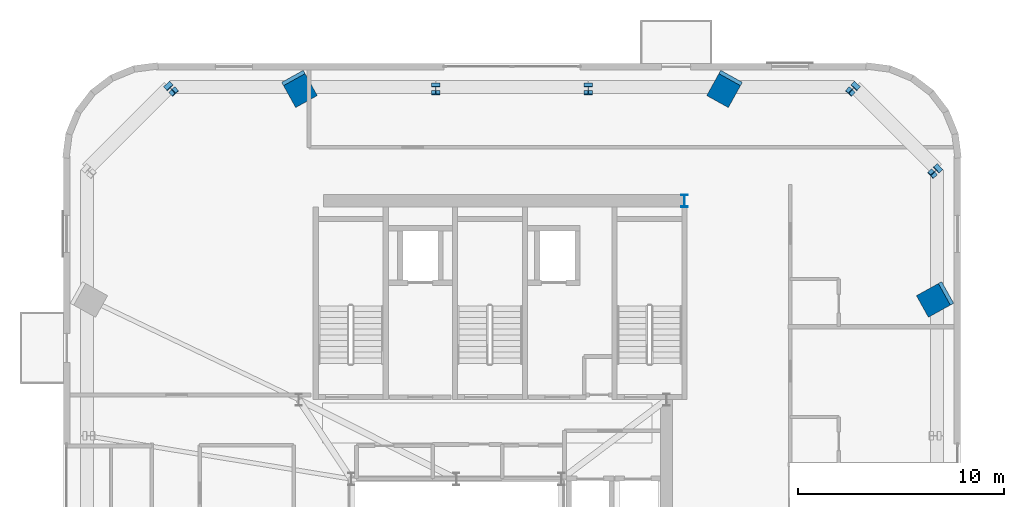
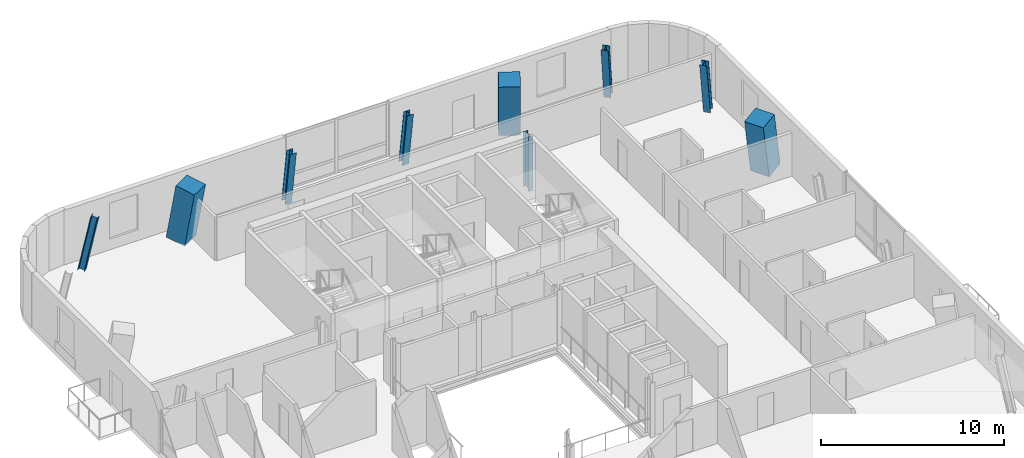
# One storey, part 2 of 14: 9 columns.
"""IFC4 building model written with IfcOpenShell, lengths in metres."""

from ifc_helpers import new_model, si_unit, direction, frame, origin, origin_2d, place, context, subcontext, project, spatial, rectangle, i_section, extrude, source, transform, mapped, material, material_profile, profile_set, type_object, element, save


model = new_model("IFC4")

# Units and contexts
model_context = context("Model", 3, precision=1e-05, world=origin(), true_north=direction((0.0, 1.0)))
body_context = subcontext(model_context, "Body", "Model", "MODEL_VIEW")
ifc_project = project(units=[si_unit("LENGTHUNIT", "METRE"), si_unit("AREAUNIT", "SQUARE_METRE"), si_unit("VOLUMEUNIT", "CUBIC_METRE"), si_unit("PLANEANGLEUNIT", "RADIAN"), si_unit("MASSUNIT", "GRAM", prefix="KILO")], contexts=[model_context])

# Site, building, storey
site_placement = place(None, origin())
site = spatial("IfcSite", under=ifc_project, at=site_placement, CompositionType="ELEMENT")
building_placement = place(site_placement, origin())
building = spatial("IfcBuilding", under=site, at=building_placement, Name="Vardaveli Station Tower", CompositionType="ELEMENT")
storey_placement = place(building_placement, frame((0.0, 0.0, 266.39990234375)))
storey = spatial("IfcBuildingStorey", under=building, at=storey_placement, Name="L68", CompositionType="ELEMENT", Elevation=266.39990234375)

# Columns
ifc_material_1 = material(Name="Structural steel S460M", Category="steel")
ifc_material_profile_1 = material_profile(ifc_material_1, i_section(OverallWidth=0.300048828125, OverallDepth=0.60009765625, WebThickness=0.015380859375, FlangeThickness=0.030029296875, FilletRadius=0.027099609375, at=origin_2d()), Name="HEB 600")
ifc_profile_set_1 = profile_set([ifc_material_profile_1], Name="Structural steel S460M")
column_type_1 = type_object("IfcColumnType", Name="COL-HEB600", PredefinedType="COLUMN", material=ifc_profile_set_1)
shared_shape_1 = source(origin(), body_context, "Body", "SweptSolid", [
    extrude(i_section(OverallWidth=0.300048828125, OverallDepth=0.60009765625, WebThickness=0.015380859375, FlangeThickness=0.030029296875, FilletRadius=0.027099609375, at=origin_2d()), origin(), (0.0, 0.0, 1.0), 3.650146484375),
])
column_1_placement = place(storey_placement, frame((47.3701171875, 40.300048828125, 0.0), z_axis=(0.0, 0.0, 1.0), x_axis=(1.0, 0.0, 0.0)))
element("IfcColumn", 1, at=column_1_placement, inside=storey, type_object=column_type_1, Name="COL-L68-CC3", PredefinedType="COLUMN", context=body_context, shape_type="MappedRepresentation", body=[
    mapped(shared_shape_1, transform((0.0, 0.0, 0.0), scale=1.0)),
])
ifc_material_2 = material(Name="Concrete C50/60", Category="concrete")
ifc_material_profile_2 = material_profile(ifc_material_2, rectangle(XDim=1.199951171875, YDim=1.199951171875, at=origin_2d()), Name="MC 1200x1200")
ifc_profile_set_2 = profile_set([ifc_material_profile_2], Name="Concrete C50/60")
column_type_2 = type_object("IfcColumnType", Name="COL-MC-1200", PredefinedType="COLUMN", material=ifc_profile_set_2)
shared_shape_2 = source(origin(), body_context, "Body", "SweptSolid", [
    extrude(rectangle(XDim=1.199951171875, YDim=1.199951171875, at=origin_2d()), origin(), (0.0, 0.0, 1.0), 3.7021484375),
])
for number, where, z_axis, x_axis, name in (
    (2, (49.367919921875, 45.830078125, 0.0), (-0.080983660509, -0.145876105086, 0.985982661458), (0.874306388121, -0.485374432465, 0.0), "COL-L68-MC5"),
    (3, (28.632080078125, 45.830078125, 0.0), (0.080983660509, -0.145876105086, 0.985982661458), (0.874306388121, 0.485374432465, 0.0), "COL-L68-MC6"),
):
    element("IfcColumn", number, at=place(storey_placement, frame(where, z_axis=z_axis, x_axis=x_axis)), inside=storey, type_object=column_type_2, Name=name, PredefinedType="COLUMN", context=body_context, shape_type="MappedRepresentation", body=[
        mapped(shared_shape_2, transform((0.0, 0.0, 0.0), scale=1.0)),
    ])
shared_shape_3 = source(origin(), body_context, "Body", "SweptSolid", [
    extrude(rectangle(XDim=1.199951171875, YDim=1.199951171875, at=origin_2d()), origin(), (0.0, 0.0, 1.0), 3.701904296875),
])
column_2_placement = place(storey_placement, frame((59.6298828125, 35.568115234375, 0.0), z_axis=(-0.145810780845, -0.081049954617, 0.985986876711), x_axis=(0.485844306078, -0.87404537082, 0.0)))
element("IfcColumn", 4, at=column_2_placement, inside=storey, type_object=column_type_2, Name="COL-L68-MC4", PredefinedType="COLUMN", context=body_context, shape_type="MappedRepresentation", body=[
    mapped(shared_shape_3, transform((0.0, 0.0, 0.0), scale=1.0)),
])
ifc_material_profile_3 = material_profile(ifc_material_1, i_section(OverallWidth=0.405029296875, OverallDepth=0.403076171875, WebThickness=0.017822265625, FlangeThickness=0.02783203125, FilletRadius=0.014892578125, at=origin_2d()), Name="HD 400x287")
ifc_profile_set_3 = profile_set([ifc_material_profile_3], Name="Structural steel S460M")
column_type_3 = type_object("IfcColumnType", Name="COL-HD287", PredefinedType="COLUMN", material=ifc_profile_set_3)
shared_shape_4 = source(origin(), body_context, "Body", "SweptSolid", [
    extrude(i_section(OverallWidth=0.405029296875, OverallDepth=0.403076171875, WebThickness=0.017822265625, FlangeThickness=0.02783203125, FilletRadius=0.014892578125, at=origin_2d()), origin(), (0.0, 0.0, 1.0), 3.68994140625),
])
for number, where, z_axis, x_axis, name in (
    (5, (42.699951171875, 45.830078125, 0.0), (0.0, -0.146356824444, 0.989231863588), (1.0, 0.0, 0.0), "COL-L68-PC10"),
    (6, (35.300048828125, 45.830078125, 0.0), (0.0, -0.146356824444, 0.989231863588), (1.0, 0.0, 0.0), "COL-L68-PC11"),
):
    element("IfcColumn", number, at=place(storey_placement, frame(where, z_axis=z_axis, x_axis=x_axis)), inside=storey, type_object=column_type_3, Name=name, PredefinedType="COLUMN", context=body_context, shape_type="MappedRepresentation", body=[
        mapped(shared_shape_4, transform((0.0, 0.0, 0.0), scale=1.0)),
    ])
shared_shape_5 = source(origin(), body_context, "Body", "SweptSolid", [
    extrude(i_section(OverallWidth=0.405029296875, OverallDepth=0.403076171875, WebThickness=0.017822265625, FlangeThickness=0.02783203125, FilletRadius=0.014892578125, at=origin_2d()), origin(), (0.0, 0.0, 1.0), 3.7236328125),
])
for number, where, z_axis, x_axis, name in (
    (7, (59.6298828125, 41.830078125, 0.0), (-0.144967174187, -0.134279861029, 0.980282325318), (0.679546967836, -0.733632004826, 0.0), "COL-L68-PC08"),
    (8, (55.6298828125, 45.830078125, 0.0), (-0.134278584433, -0.145031361702, 0.980273005792), (0.733785173488, -0.679381571114, 0.0), "COL-L68-PC09"),
    (9, (22.3701171875, 45.830078125, 0.0), (0.134278584433, -0.145031361702, 0.980273005792), (0.733785173488, 0.679381571114, 0.0), "COL-L68-PC12"),
):
    element("IfcColumn", number, at=place(storey_placement, frame(where, z_axis=z_axis, x_axis=x_axis)), inside=storey, type_object=column_type_3, Name=name, PredefinedType="COLUMN", context=body_context, shape_type="MappedRepresentation", body=[
        mapped(shared_shape_5, transform((0.0, 0.0, 0.0), scale=1.0)),
    ])

save(model, "model.ifc")
